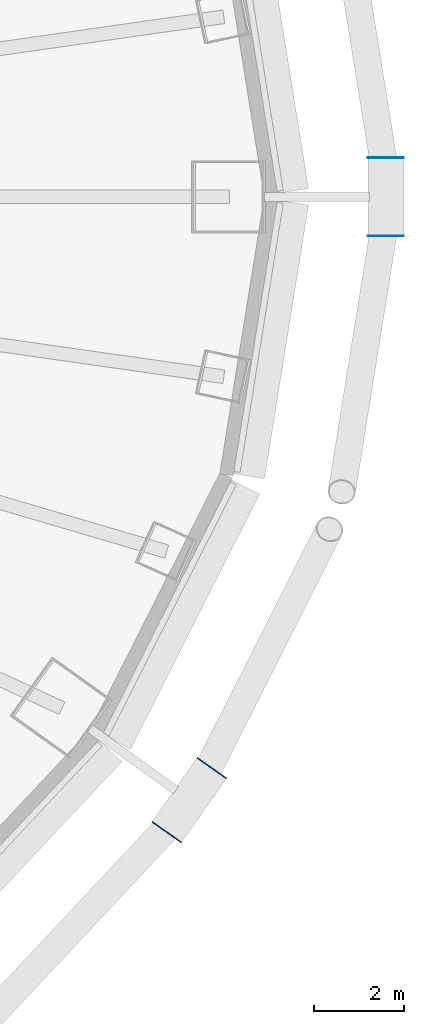
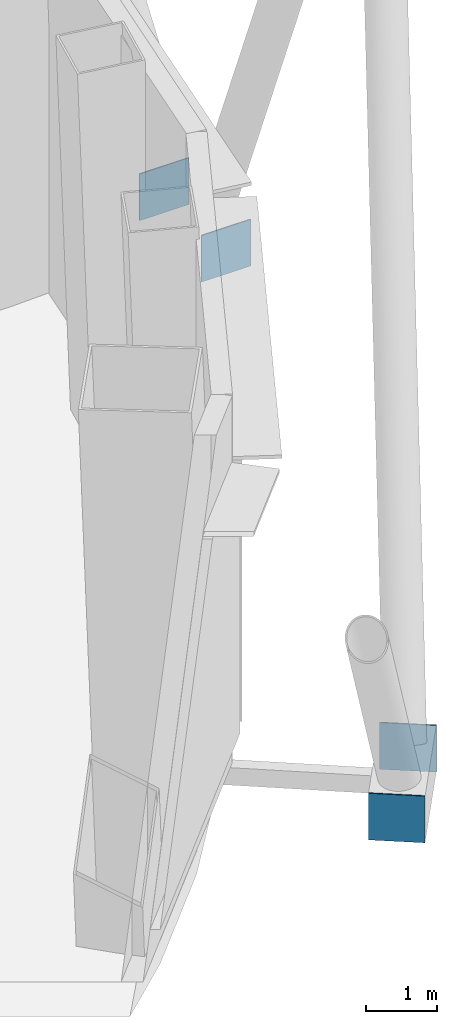
# One storey, part 8 of 13: 4 discrete accessories.
"""IFC4 building model written with IfcOpenShell, lengths in metres."""

from ifc_helpers import new_model, si_unit, direction, frame, origin, origin_2d, place, context, subcontext, project, spatial, rectangle, extrude, material, layer, layer_set, type_object, element, save


model = new_model("IFC4")

# Units and contexts
model_context = context("Model", 3, precision=1e-05, world=origin(), true_north=direction((0.0, 1.0)))
body_context = subcontext(model_context, "Body", "Model", "MODEL_VIEW")
ifc_project = project(units=[si_unit("LENGTHUNIT", "METRE"), si_unit("AREAUNIT", "SQUARE_METRE"), si_unit("VOLUMEUNIT", "CUBIC_METRE"), si_unit("PLANEANGLEUNIT", "RADIAN"), si_unit("MASSUNIT", "GRAM", prefix="KILO")], contexts=[model_context])

# Site, building, storey
site_placement = place(None, origin())
site = spatial("IfcSite", under=ifc_project, at=site_placement, CompositionType="ELEMENT")
building_placement = place(site_placement, origin())
building = spatial("IfcBuilding", under=site, at=building_placement, Name="Siaravel Broadcast Tower", CompositionType="ELEMENT")
storey_placement = place(building_placement, frame((0.0, 0.0, 7.0)))
storey = spatial("IfcBuildingStorey", under=building, at=storey_placement, Name="L01", CompositionType="ELEMENT", Elevation=7.0)

# Discrete accessories
ifc_material = material(Name="Steel S355", Category="steel")
ifc_layer = layer(ifc_material, 0.02001953125)
ifc_layer_set = layer_set([ifc_layer], Name="Steel S355")
discrete_accessory_type = type_object("IfcDiscreteAccessoryType", Name="Steel end plate 20 mm", PredefinedType="USERDEFINED", material=ifc_layer_set)
for number, where, z_axis, x_axis, name in (
    (1, (31.675048828125, 0.87060546875, -0.60009765625), (0.0, 0.0, 1.0), (0.0, 1.0, 0.0), "End plate R01 station 00A"),
    (2, (31.675048828125, -0.87060546875, -0.60009765625), (0.0, 0.0, 1.0), (0.0, 1.0, 0.0), "End plate R01 station 00B"),
    (3, (27.806396484375, -12.6943359375, -0.60009765625), (0.0, 0.0, 1.0), (0.576118513, 0.817366172, 0.0), "End plate R01 station 66A"),
    (4, (26.80322265625, -14.1171875, -0.60009765625), (0.0, 0.0, 1.0), (0.576118513, 0.817366172, 0.0), "End plate R01 station 66B"),
):
    element("IfcDiscreteAccessory", number, at=place(storey_placement, frame(where, z_axis=z_axis, x_axis=x_axis)), inside=storey, type_object=discrete_accessory_type, Name=name, ObjectType="END PLATE", PredefinedType="USERDEFINED", context=body_context, shape_type="SweptSolid", body=[
        extrude(rectangle(XDim=0.02001953125, YDim=0.800048828125, at=origin_2d()), origin(), (0.0, 0.0, 1.0), 0.800048828125),
    ])

save(model, "model.ifc")
